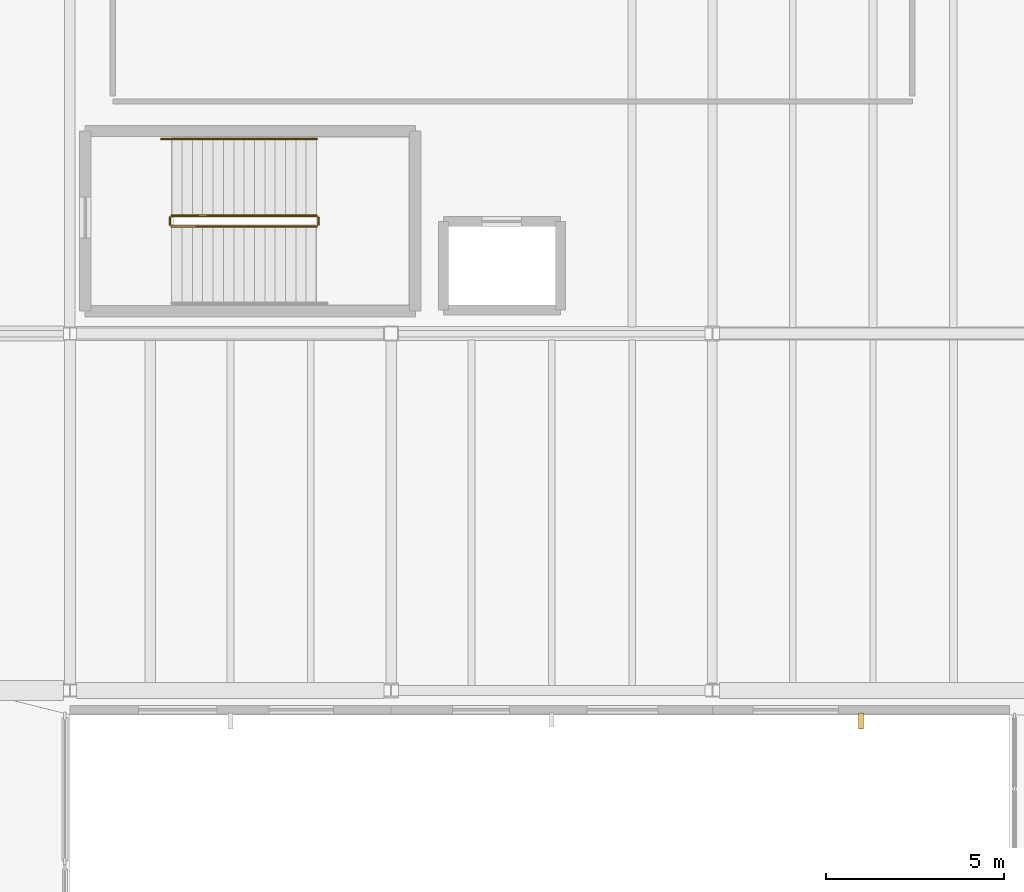
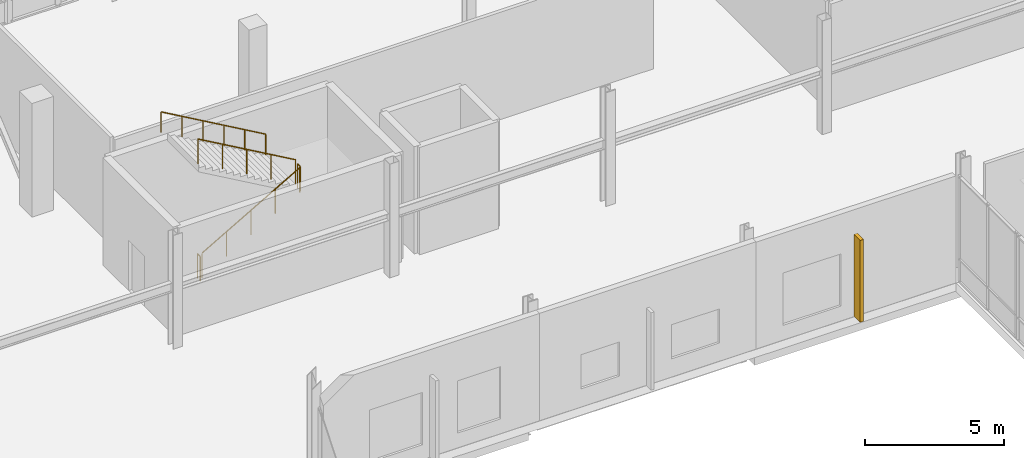
# One storey, part 78 of 88: 5 railings, 1 shading device.
"""IFC4 building model written with IfcOpenShell, lengths in metres."""

from ifc_helpers import new_model, si_unit, direction, frame, origin, origin_2d, place, context, subcontext, project, spatial, rectangle, circle, extrude, material, type_object, element, save


model = new_model("IFC4")

# Units and contexts
model_context = context("Model", 3, precision=1e-05, world=origin(), true_north=direction((0.0, 1.0)))
body_context = subcontext(model_context, "Body", "Model", "MODEL_VIEW")
ifc_project = project(units=[si_unit("LENGTHUNIT", "METRE"), si_unit("AREAUNIT", "SQUARE_METRE"), si_unit("VOLUMEUNIT", "CUBIC_METRE"), si_unit("PLANEANGLEUNIT", "RADIAN"), si_unit("MASSUNIT", "GRAM", prefix="KILO")], contexts=[model_context])

# Site, building, storey
site_placement = place(None, origin())
site = spatial("IfcSite", under=ifc_project, at=site_placement, CompositionType="ELEMENT")
building_placement = place(site_placement, origin())
building = spatial("IfcBuilding", under=site, at=building_placement, Name="Trimount Lyric Opera House", CompositionType="ELEMENT")
storey_placement = place(building_placement, origin())
storey = spatial("IfcBuildingStorey", under=building, at=storey_placement, Name="L00", CompositionType="ELEMENT", Elevation=0.0)

# Railings
ifc_material_1 = material(Name="Brushed Stainless Steel 316", Category="steel")
railing_type_1 = type_object("IfcRailingType", Name="RL-GRD110", PredefinedType="GUARDRAIL", material=ifc_material_1)
railing_1_placement = place(storey_placement, frame((20.85009765625, 57.0, 0.166748046875)))
element("IfcRailing", 1, at=railing_1_placement, inside=storey, type_object=railing_type_1, Name="L00 ST-06 stair guard 1", PredefinedType="GUARDRAIL", context=body_context, shape_type="SweptSolid", body=[
    extrude(circle(Radius=0.02392578125, at=origin_2d()), frame((0.0, 0.0, 1.076171875), z_axis=(0.86701161382, 0.0, 0.498287930319), x_axis=(0.0, 1.0, 0.0)), (0.0, 0.0, 1.0), 4.6826171875),
    extrude(circle(Radius=0.02099609375, at=origin_2d()), origin(), (0.0, 0.0, 1.0), 1.052001953125),
    extrude(circle(Radius=0.02099609375, at=origin_2d()), frame((1.014892578125, 0.0, 0.583251953125)), (0.0, 0.0, 1.0), 1.052001953125),
    extrude(circle(Radius=0.02099609375, at=origin_2d()), frame((2.02978515625, 0.0, 1.16650390625)), (0.0, 0.0, 1.0), 1.052001953125),
    extrude(circle(Radius=0.02099609375, at=origin_2d()), frame((3.044921875, 0.0, 1.75)), (0.0, 0.0, 1.0), 1.052001953125),
    extrude(circle(Radius=0.02099609375, at=origin_2d()), frame((4.059814453125, 0.0, 2.333251953125)), (0.0, 0.0, 1.0), 1.052001953125),
])
railing_2_placement = place(storey_placement, frame((24.9599609375, 57.050048828125, 2.5)))
element("IfcRailing", 2, at=railing_2_placement, inside=storey, type_object=railing_type_1, Name="L00 ST-06 stair guard 2", PredefinedType="GUARDRAIL", context=body_context, shape_type="SweptSolid", body=[
    extrude(circle(Radius=0.02392578125, at=origin_2d()), frame((0.0, 0.0, 1.076171875), z_axis=(0.0, 1.0, 0.0), x_axis=(-1.0, 0.0, 0.0)), (0.0, 0.0, 1.0), 0.199951171875),
    extrude(circle(Radius=0.02099609375, at=origin_2d()), origin(), (0.0, 0.0, 1.0), 1.052001953125),
    extrude(circle(Radius=0.02099609375, at=origin_2d()), frame((0.0, 0.199951171875, 0.0)), (0.0, 0.0, 1.0), 1.052001953125),
])
railing_3_placement = place(storey_placement, frame((24.909912109375, 57.300048828125, 2.666748046875)))
element("IfcRailing", 3, at=railing_3_placement, inside=storey, type_object=railing_type_1, Name="L00 ST-06 stair guard 3", PredefinedType="GUARDRAIL", context=body_context, shape_type="SweptSolid", body=[
    extrude(circle(Radius=0.02392578125, at=origin_2d()), frame((0.0, 0.0, 1.076171875), z_axis=(-0.86701161382, 0.0, 0.498287930319), x_axis=(0.0, -1.0, 0.0)), (0.0, 0.0, 1.0), 4.6826171875),
    extrude(circle(Radius=0.02099609375, at=origin_2d()), origin(), (0.0, 0.0, 1.0), 1.052001953125),
    extrude(circle(Radius=0.02099609375, at=origin_2d()), frame((-1.014892578125, 0.0, 0.583251953125)), (0.0, 0.0, 1.0), 1.052001953125),
    extrude(circle(Radius=0.02099609375, at=origin_2d()), frame((-2.02978515625, 0.0, 1.16650390625)), (0.0, 0.0, 1.0), 1.052001953125),
    extrude(circle(Radius=0.02099609375, at=origin_2d()), frame((-3.044921875, 0.0, 1.75)), (0.0, 0.0, 1.0), 1.052001953125),
    extrude(circle(Radius=0.02099609375, at=origin_2d()), frame((-4.059814453125, 0.0, 2.333251953125)), (0.0, 0.0, 1.0), 1.052001953125),
])
railing_4_placement = place(storey_placement, frame((20.800048828125, 57.050048828125, 0.0)))
element("IfcRailing", 4, at=railing_4_placement, inside=storey, type_object=railing_type_1, Name="L00 ST-06 stair guard 4", PredefinedType="GUARDRAIL", context=body_context, shape_type="SweptSolid", body=[
    extrude(circle(Radius=0.02392578125, at=origin_2d()), frame((0.0, 0.0, 1.076171875), z_axis=(0.0, 1.0, 0.0), x_axis=(-1.0, 0.0, 0.0)), (0.0, 0.0, 1.0), 0.199951171875),
    extrude(circle(Radius=0.02099609375, at=origin_2d()), origin(), (0.0, 0.0, 1.0), 1.052001953125),
    extrude(circle(Radius=0.02099609375, at=origin_2d()), frame((0.0, 0.199951171875, 0.0)), (0.0, 0.0, 1.0), 1.052001953125),
])
ifc_material_2 = material(Name="Brushed Stainless Steel 316", Category="steel")
railing_type_2 = type_object("IfcRailingType", Name="RL-HND092", PredefinedType="HANDRAIL", material=ifc_material_2)
railing_5_placement = place(storey_placement, frame((24.909912109375, 59.449951171875, 2.666748046875)))
element("IfcRailing", 5, at=railing_5_placement, inside=storey, type_object=railing_type_2, Name="L00 ST-06 stair handrail 2", PredefinedType="HANDRAIL", context=body_context, shape_type="SweptSolid", body=[
    extrude(circle(Radius=0.0224609375, at=origin_2d()), frame((0.0, 0.0, 0.8974609375), z_axis=(-0.866754379005, 0.0, 0.498735246875), x_axis=(0.0, -1.0, 0.0)), (0.0, 0.0, 1.0), 5.0185546875),
    extrude(circle(Radius=0.02099609375, at=origin_2d()), origin(), (0.0, 0.0, 1.0), 0.875),
    extrude(circle(Radius=0.02099609375, at=origin_2d()), frame((-0.869873046875, 0.0, 0.50048828125)), (0.0, 0.0, 1.0), 0.875),
    extrude(circle(Radius=0.02099609375, at=origin_2d()), frame((-1.739990234375, 0.0, 1.001220703125)), (0.0, 0.0, 1.0), 0.875),
    extrude(circle(Radius=0.02099609375, at=origin_2d()), frame((-2.60986328125, 0.0, 1.501708984375)), (0.0, 0.0, 1.0), 0.875),
    extrude(circle(Radius=0.02099609375, at=origin_2d()), frame((-3.47998046875, 0.0, 2.00244140625)), (0.0, 0.0, 1.0), 0.875),
    extrude(circle(Radius=0.02099609375, at=origin_2d()), frame((-4.349853515625, 0.0, 2.5029296875)), (0.0, 0.0, 1.0), 0.875),
])

# Shading device
ifc_material_3 = material(Name="Extruded Bronze Vertical Acoustic Fin")
shading_device_type = type_object("IfcShadingDeviceType", Name="SHD-FIN1", PredefinedType="USERDEFINED", material=ifc_material_3)
shading_device_placement = place(storey_placement, frame((40.159912109375, 43.139892578125, 0.0), z_axis=(0.0, 0.0, 1.0), x_axis=(1.0, 0.0, 0.0)))
element("IfcShadingDevice", 6, at=shading_device_placement, inside=storey, type_object=shading_device_type, Name="Vertical architectural facade fin 041", ObjectType="FIN", PredefinedType="USERDEFINED", context=body_context, shape_type="SweptSolid", body=[
    extrude(rectangle(XDim=0.139892578125, YDim=0.449951171875, at=origin_2d()), origin(), (0.0, 0.0, 1.0), 3.60009765625),
])

save(model, "model.ifc")
